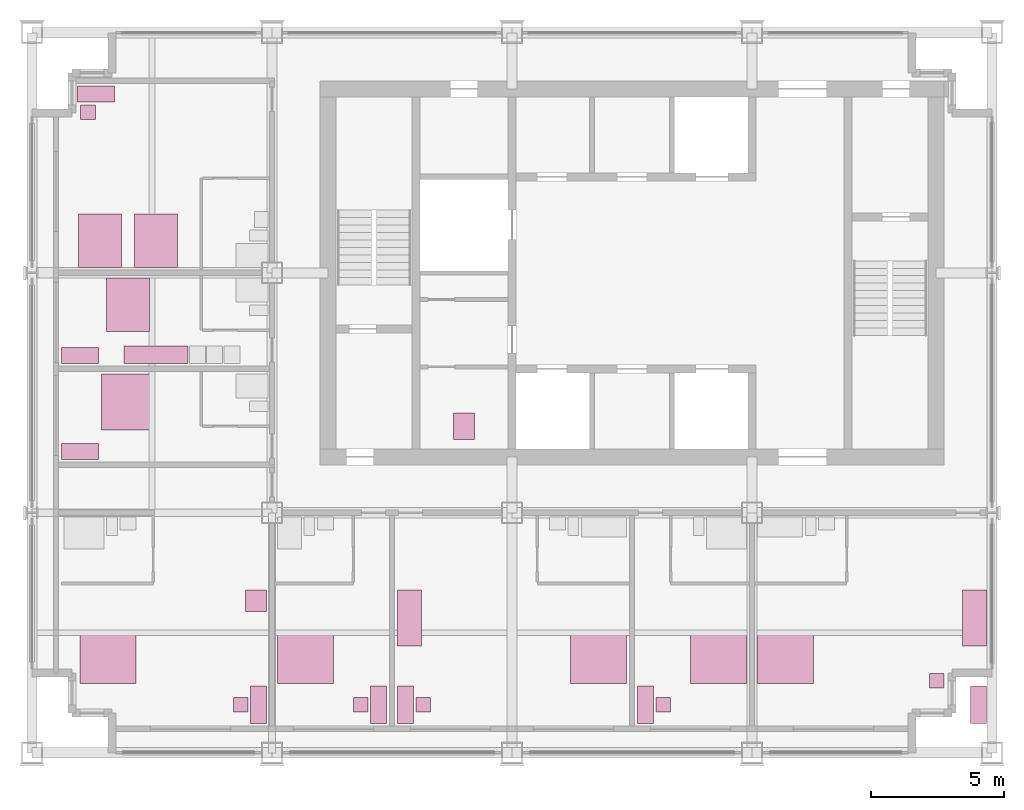
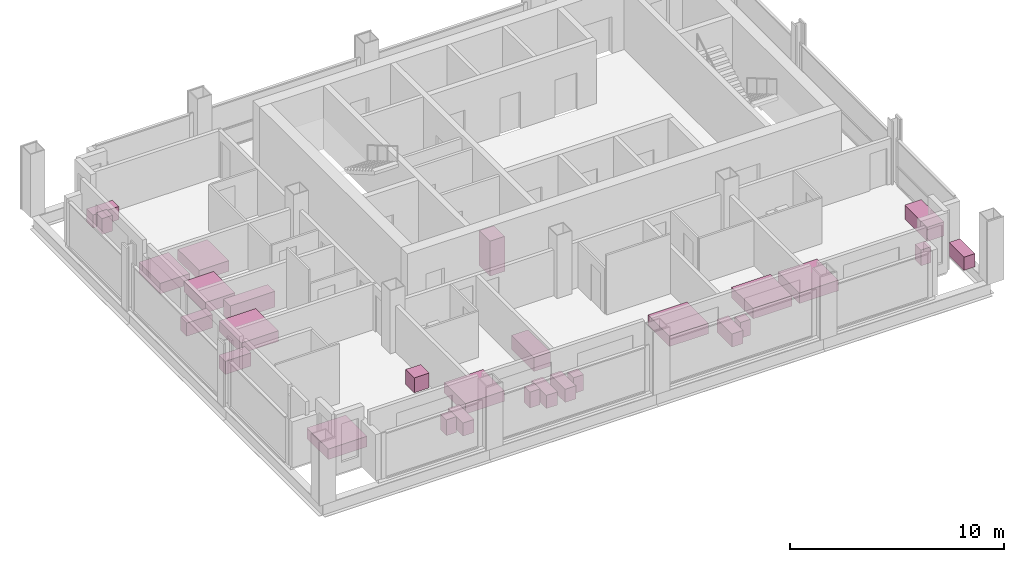
# One storey, part 12 of 12: 28 furniture elements.
"""IFC4 building model written with IfcOpenShell, lengths in metres."""

import ifcopenshell
import ifcopenshell.guid

model = None  # the IFC model being written
_history = None  # IfcOwnerHistory: only IFC2X3 demands one
_inside = {}  # id of a spatial element -> (the spatial element, [elements in it])
_under = {}  # id of a project, library or spatial element -> (it, [spatial elements below it])
_declared = {}  # id of a project -> (the project, [libraries it declares])
_typed = {}  # id of a type object -> (the type object, [elements of that type])
_made_of = {}  # id of a material, layer set ... -> (it, [elements and type objects made of it])


def new_model(schema):
    """Start an empty IFC model of exactly this schema.

    Asked for "IFC4X3", IfcOpenShell would pick the latest addendum, in which some entities
    have other attributes; the version numbers below select the first issue.
    IFC2X3 requires an IfcOwnerHistory on every rooted entity: one is made here for all.
    """
    global model, _history
    if schema == "IFC4X3":
        model = ifcopenshell.file(schema_version=(4, 3, 0, 0))
    else:
        model = ifcopenshell.file(schema=schema)
    _inside.clear()
    _under.clear()
    _declared.clear()
    _typed.clear()
    _made_of.clear()
    _history = None
    if model.schema == "IFC2X3":
        org = make("IfcOrganization", Name="unknown")
        user = make(
            "IfcPersonAndOrganization",
            ThePerson=make("IfcPerson", FamilyName="unknown"),
            TheOrganization=org,
        )
        app = make(
            "IfcApplication",
            ApplicationDeveloper=org,
            Version="unknown",
            ApplicationFullName="unknown",
            ApplicationIdentifier="unknown",
        )
        _history = make(
            "IfcOwnerHistory",
            OwningUser=user,
            OwningApplication=app,
            ChangeAction="ADDED",
            CreationDate=0,
        )
    return model


def make(cls, **values):
    """One entity of the class cls with the attributes given. An attribute that is None is left unset."""
    return model.create_entity(
        cls, **{name: value for name, value in values.items() if value is not None}
    )


def rooted(cls, **values):
    """An entity with a GlobalId (a new one), such as an element, a storey or a relation."""
    return make(cls, GlobalId=ifcopenshell.guid.new(), OwnerHistory=_history, **values)


def si_unit(unit_type, name, prefix=None):
    """IfcSIUnit, for example si_unit("LENGTHUNIT", "METRE", prefix="MILLI")."""
    return make("IfcSIUnit", UnitType=unit_type, Prefix=prefix, Name=name)


def assignment(units):
    """IfcUnitAssignment: the units of a project."""
    return None if units is None else make("IfcUnitAssignment", Units=units)


def point(xyz):
    """IfcCartesianPoint."""
    return None if xyz is None else make("IfcCartesianPoint", Coordinates=xyz)


def direction(xyz):
    """IfcDirection."""
    return None if xyz is None else make("IfcDirection", DirectionRatios=xyz)


def frame(location, z_axis=None, x_axis=None):
    """IfcAxis2Placement3D, a coordinate frame: its origin and axes. An axis left out is left unset."""
    return make(
        "IfcAxis2Placement3D",
        Location=point(location),
        Axis=direction(z_axis),
        RefDirection=direction(x_axis),
    )


def frame_2d(location, x_axis=None):
    """IfcAxis2Placement2D, a coordinate frame in the plane: its origin and x axis."""
    return make(
        "IfcAxis2Placement2D", Location=point(location), RefDirection=direction(x_axis)
    )


def origin():
    """The frame at (0, 0, 0) with its axes left unset."""
    return frame((0.0, 0.0, 0.0))


def origin_2d():
    """The frame at (0, 0) in the plane with its x axis left unset."""
    return frame_2d((0.0, 0.0))


def place(relative_to, where):
    """IfcLocalPlacement: puts the frame where relative to a parent placement (None: the world)."""
    return make(
        "IfcLocalPlacement", PlacementRelTo=relative_to, RelativePlacement=where
    )


def context(
    kind, dimensions, precision=None, world=None, true_north=None, identifier=None
):
    """IfcGeometricRepresentationContext, for example the 3D "Model" context."""
    return make(
        "IfcGeometricRepresentationContext",
        ContextIdentifier=identifier,
        ContextType=kind,
        CoordinateSpaceDimension=dimensions,
        Precision=precision,
        WorldCoordinateSystem=world,
        TrueNorth=true_north,
    )


def subcontext(parent, identifier, kind, view, scale=None):
    """IfcGeometricRepresentationSubContext, for example "Body" below "Model"."""
    return make(
        "IfcGeometricRepresentationSubContext",
        ContextIdentifier=identifier,
        ContextType=kind,
        ParentContext=parent,
        TargetScale=scale,
        TargetView=view,
    )


def project(units=None, contexts=None):
    """IfcProject with its units and contexts."""
    return rooted(
        "IfcProject",
        Name="project",
        RepresentationContexts=contexts,
        UnitsInContext=assignment(units),
    )


def spatial(cls, under=None, at=None, **own):
    """A site, building, storey or space (cls), placed at a placement, below another one or the project."""
    s = rooted(cls, ObjectPlacement=at, **own)
    if under is not None:
        _under.setdefault(under.id(), (under, []))[1].append(s)
    return s


def profile(cls, at=None, kind="AREA", **sizes):
    """A parametric profile (cls). Its sizes go by their IFC names, for example OverallWidth=200.0."""
    return make(cls, ProfileType=kind, Position=at, **sizes)


def rectangle(**sizes):
    """IfcRectangleProfileDef."""
    return profile("IfcRectangleProfileDef", **sizes)


def extrude(swept, where, along, depth):
    """IfcExtrudedAreaSolid: the profile swept, set in the frame where, extruded along a direction by depth."""
    return make(
        "IfcExtrudedAreaSolid",
        SweptArea=swept,
        Position=where,
        ExtrudedDirection=direction(along),
        Depth=depth,
    )


def shape(context_of_items, identifier, shape_type, items):
    """IfcShapeRepresentation: the items that make up one representation, for example the "Body"."""
    return make(
        "IfcShapeRepresentation",
        ContextOfItems=context_of_items,
        RepresentationIdentifier=identifier,
        RepresentationType=shape_type,
        Items=items,
    )


def made_of(thing, what):
    """Note that an element or type object is made of a material, layer set ...; save() writes the relation."""
    if what is not None:
        _made_of.setdefault(what.id(), (what, []))[1].append(thing)
    return thing


def element(
    cls,
    number,
    at=None,
    inside=None,
    cuts=None,
    type_object=None,
    material=None,
    context=None,
    identifier="Body",
    shape_type=None,
    held_by="IfcProductDefinitionShape",
    body=None,
    shapes=None,
    **own,
):
    """One element of the class cls, such as IfcWall. Its Tag is "e" and its number.

    at: its placement. inside: the storey or other place that contains it. cuts: it is an
    opening in that element (IfcRelVoidsElement). A single representation is given by context,
    identifier, shape_type and body (its items); several are given by shapes. held_by: the class
    of the entity that holds the representations. save() writes the other relations.
    """
    e = rooted(cls, Tag="e%d" % number, ObjectPlacement=at, **own)
    if body is not None:
        shapes = [shape(context, identifier, shape_type, body)]
    if shapes is not None:
        e.Representation = make(held_by, Representations=shapes)
    if inside is not None:
        _inside.setdefault(inside.id(), (inside, []))[1].append(e)
    if cuts is not None:
        rooted(
            "IfcRelVoidsElement", RelatingBuildingElement=cuts, RelatedOpeningElement=e
        )
    if type_object is not None:
        _typed.setdefault(type_object.id(), (type_object, []))[1].append(e)
    return made_of(e, material)


def aggregate(whole, parts):
    """IfcRelAggregates: a whole, such as a stair, and the parts it consists of."""
    return rooted("IfcRelAggregates", RelatingObject=whole, RelatedObjects=parts)


def save(model, path):
    """Write the relations noted so far, then the file.

    IfcRelAggregates (storeys below a building ...), IfcRelContainedInSpatialStructure (elements
    in a storey), IfcRelDefinesByType, IfcRelAssociatesMaterial and IfcRelDeclares: one each for
    every whole, place, type object, material and project.
    """
    for whole, parts in _under.values():
        aggregate(whole, parts)
    for where, things in _inside.values():
        rooted(
            "IfcRelContainedInSpatialStructure",
            RelatedElements=things,
            RelatingStructure=where,
        )
    for kind, things in _typed.values():
        rooted("IfcRelDefinesByType", RelatedObjects=things, RelatingType=kind)
    for what, things in _made_of.values():
        rooted("IfcRelAssociatesMaterial", RelatedObjects=things, RelatingMaterial=what)
    for by, libraries in _declared.values():
        rooted("IfcRelDeclares", RelatingContext=by, RelatedDefinitions=libraries)
    model.write(path)


model = new_model("IFC4")

# Units and contexts
model_context = context("Model", 3, precision=1e-05, world=origin(), true_north=direction((0.0, 1.0)))
body_context = subcontext(model_context, "Body", "Model", "MODEL_VIEW")
ifc_project = project(units=[si_unit("LENGTHUNIT", "METRE"), si_unit("AREAUNIT", "SQUARE_METRE"), si_unit("VOLUMEUNIT", "CUBIC_METRE"), si_unit("PLANEANGLEUNIT", "RADIAN"), si_unit("MASSUNIT", "GRAM", prefix="KILO")], contexts=[model_context])

# Site, building, storey
site_placement = place(None, origin())
site = spatial("IfcSite", under=ifc_project, at=site_placement, CompositionType="ELEMENT")
building_placement = place(site_placement, origin())
building = spatial("IfcBuilding", under=site, at=building_placement, Name="Loomwork Tower", CompositionType="ELEMENT")
storey_placement = place(building_placement, frame((0.0, 0.0, 233.800048828125)))
storey = spatial("IfcBuildingStorey", under=building, at=storey_placement, Name="L64", CompositionType="ELEMENT", Elevation=233.800048828125)

# Furniture
furniture_1_placement = place(storey_placement, frame((2.85009765625, 3.60009765625, 0.0), z_axis=(0.0, 0.0, 1.0), x_axis=(1.0, 0.0, 0.0)))
element("IfcFurniture", 1, at=furniture_1_placement, inside=storey, Name="King bed L64", PredefinedType="BED", context=body_context, shape_type="SweptSolid", body=[
    extrude(rectangle(XDim=2.10009765625, YDim=2.0, at=origin_2d()), origin(), (0.0, 0.0, 1.0), 0.60009765625),
])
furniture_2_placement = place(storey_placement, frame((8.5, 1.800048828125, 0.0), z_axis=(0.0, 0.0, 1.0), x_axis=(1.0, 0.0, 0.0)))
element("IfcFurniture", 2, at=furniture_2_placement, inside=storey, Name="Writing desk L64", PredefinedType="DESK", context=body_context, shape_type="SweptSolid", body=[
    extrude(rectangle(XDim=0.60009765625, YDim=1.39990234375, at=origin_2d()), origin(), (0.0, 0.0, 1.0), 0.75),
])
furniture_3_placement = place(storey_placement, frame((7.824951171875, 1.800048828125, 0.0), z_axis=(0.0, 0.0, 1.0), x_axis=(1.0, 0.0, 0.0)))
element("IfcFurniture", 3, at=furniture_3_placement, inside=storey, Name="Desk chair L64", PredefinedType="CHAIR", context=body_context, shape_type="SweptSolid", body=[
    extrude(rectangle(XDim=0.550048828125, YDim=0.550048828125, at=origin_2d()), origin(), (0.0, 0.0, 1.0), 0.89990234375),
])
furniture_4_placement = place(storey_placement, frame((8.39990234375, 5.699951171875, 0.0), z_axis=(0.0, 0.0, 1.0), x_axis=(1.0, 0.0, 0.0)))
element("IfcFurniture", 4, at=furniture_4_placement, inside=storey, Name="Lounge armchair L64", PredefinedType="CHAIR", context=body_context, shape_type="SweptSolid", body=[
    extrude(rectangle(XDim=0.800048828125, YDim=0.800048828125, at=origin_2d()), origin(), (0.0, 0.0, 1.0), 0.85009765625),
])
furniture_5_placement = place(storey_placement, frame((10.25, 3.60009765625, 0.0), z_axis=(0.0, 0.0, 1.0), x_axis=(1.0, 0.0, 0.0)))
element("IfcFurniture", 5, at=furniture_5_placement, inside=storey, Name="King bed L64", PredefinedType="BED", context=body_context, shape_type="SweptSolid", body=[
    extrude(rectangle(XDim=2.10009765625, YDim=2.0, at=origin_2d()), origin(), (0.0, 0.0, 1.0), 0.60009765625),
])
furniture_6_placement = place(storey_placement, frame((13.0, 1.800048828125, 0.0), z_axis=(0.0, 0.0, 1.0), x_axis=(1.0, 0.0, 0.0)))
element("IfcFurniture", 6, at=furniture_6_placement, inside=storey, Name="Writing desk L64", PredefinedType="DESK", context=body_context, shape_type="SweptSolid", body=[
    extrude(rectangle(XDim=0.60009765625, YDim=1.39990234375, at=origin_2d()), origin(), (0.0, 0.0, 1.0), 0.75),
])
furniture_7_placement = place(storey_placement, frame((12.324951171875, 1.800048828125, 0.0), z_axis=(0.0, 0.0, 1.0), x_axis=(1.0, 0.0, 0.0)))
element("IfcFurniture", 7, at=furniture_7_placement, inside=storey, Name="Desk chair L64", PredefinedType="CHAIR", context=body_context, shape_type="SweptSolid", body=[
    extrude(rectangle(XDim=0.550048828125, YDim=0.550048828125, at=origin_2d()), origin(), (0.0, 0.0, 1.0), 0.89990234375),
])
furniture_8_placement = place(storey_placement, frame((21.25, 3.60009765625, 0.0), z_axis=(0.0, 0.0, 1.0), x_axis=(1.0, 0.0, 0.0)))
element("IfcFurniture", 8, at=furniture_8_placement, inside=storey, Name="King bed L64", PredefinedType="BED", context=body_context, shape_type="SweptSolid", body=[
    extrude(rectangle(XDim=2.10009765625, YDim=2.0, at=origin_2d()), origin(), (0.0, 0.0, 1.0), 0.60009765625),
])
furniture_9_placement = place(storey_placement, frame((14.0, 1.800048828125, 0.0), z_axis=(0.0, 0.0, 1.0), x_axis=(1.0, 0.0, 0.0)))
element("IfcFurniture", 9, at=furniture_9_placement, inside=storey, Name="Writing desk L64", PredefinedType="DESK", context=body_context, shape_type="SweptSolid", body=[
    extrude(rectangle(XDim=0.60009765625, YDim=1.39990234375, at=origin_2d()), origin(), (0.0, 0.0, 1.0), 0.75),
])
furniture_10_placement = place(storey_placement, frame((14.675048828125, 1.800048828125, 0.0), z_axis=(0.0, 0.0, 1.0), x_axis=(1.0, 0.0, 0.0)))
element("IfcFurniture", 10, at=furniture_10_placement, inside=storey, Name="Desk chair L64", PredefinedType="CHAIR", context=body_context, shape_type="SweptSolid", body=[
    extrude(rectangle(XDim=0.550048828125, YDim=0.550048828125, at=origin_2d()), origin(), (0.0, 0.0, 1.0), 0.89990234375),
])
furniture_11_placement = place(storey_placement, frame((14.14990234375, 5.050048828125, 0.0), z_axis=(0.0, 0.0, 1.0), x_axis=(1.0, 0.0, 0.0)))
element("IfcFurniture", 11, at=furniture_11_placement, inside=storey, Name="Sofa L64", PredefinedType="SOFA", context=body_context, shape_type="SweptSolid", body=[
    extrude(rectangle(XDim=0.89990234375, YDim=2.10009765625, at=origin_2d()), origin(), (0.0, 0.0, 1.0), 0.800048828125),
])
furniture_12_placement = place(storey_placement, frame((25.75, 3.60009765625, 0.0), z_axis=(0.0, 0.0, 1.0), x_axis=(1.0, 0.0, 0.0)))
element("IfcFurniture", 12, at=furniture_12_placement, inside=storey, Name="King bed L64", PredefinedType="BED", context=body_context, shape_type="SweptSolid", body=[
    extrude(rectangle(XDim=2.10009765625, YDim=2.0, at=origin_2d()), origin(), (0.0, 0.0, 1.0), 0.60009765625),
])
furniture_13_placement = place(storey_placement, frame((23.0, 1.800048828125, 0.0), z_axis=(0.0, 0.0, 1.0), x_axis=(1.0, 0.0, 0.0)))
element("IfcFurniture", 13, at=furniture_13_placement, inside=storey, Name="Writing desk L64", PredefinedType="DESK", context=body_context, shape_type="SweptSolid", body=[
    extrude(rectangle(XDim=0.60009765625, YDim=1.39990234375, at=origin_2d()), origin(), (0.0, 0.0, 1.0), 0.75),
])
furniture_14_placement = place(storey_placement, frame((23.675048828125, 1.800048828125, 0.0), z_axis=(0.0, 0.0, 1.0), x_axis=(1.0, 0.0, 0.0)))
element("IfcFurniture", 14, at=furniture_14_placement, inside=storey, Name="Desk chair L64", PredefinedType="CHAIR", context=body_context, shape_type="SweptSolid", body=[
    extrude(rectangle(XDim=0.550048828125, YDim=0.550048828125, at=origin_2d()), origin(), (0.0, 0.0, 1.0), 0.89990234375),
])
furniture_15_placement = place(storey_placement, frame((28.25, 3.60009765625, 0.0), z_axis=(0.0, 0.0, 1.0), x_axis=(1.0, 0.0, 0.0)))
element("IfcFurniture", 15, at=furniture_15_placement, inside=storey, Name="King bed L64", PredefinedType="BED", context=body_context, shape_type="SweptSolid", body=[
    extrude(rectangle(XDim=2.10009765625, YDim=2.0, at=origin_2d()), origin(), (0.0, 0.0, 1.0), 0.60009765625),
])
furniture_16_placement = place(storey_placement, frame((35.5, 1.800048828125, 0.0), z_axis=(0.0, 0.0, 1.0), x_axis=(1.0, 0.0, 0.0)))
element("IfcFurniture", 16, at=furniture_16_placement, inside=storey, Name="Writing desk L64", PredefinedType="DESK", context=body_context, shape_type="SweptSolid", body=[
    extrude(rectangle(XDim=0.60009765625, YDim=1.39990234375, at=origin_2d()), origin(), (0.0, 0.0, 1.0), 0.75),
])
furniture_17_placement = place(storey_placement, frame((33.925048828125, 2.699951171875, 0.0), z_axis=(0.0, 0.0, 1.0), x_axis=(1.0, 0.0, 0.0)))
element("IfcFurniture", 17, at=furniture_17_placement, inside=storey, Name="Desk chair L64", PredefinedType="CHAIR", context=body_context, shape_type="SweptSolid", body=[
    extrude(rectangle(XDim=0.550048828125, YDim=0.550048828125, at=origin_2d()), origin(), (0.0, 0.0, 1.0), 0.89990234375),
])
furniture_18_placement = place(storey_placement, frame((35.35009765625, 5.050048828125, 0.0), z_axis=(0.0, 0.0, 1.0), x_axis=(1.0, 0.0, 0.0)))
element("IfcFurniture", 18, at=furniture_18_placement, inside=storey, Name="Sofa L64", PredefinedType="SOFA", context=body_context, shape_type="SweptSolid", body=[
    extrude(rectangle(XDim=0.89990234375, YDim=2.10009765625, at=origin_2d()), origin(), (0.0, 0.0, 1.0), 0.800048828125),
])
furniture_19_placement = place(storey_placement, frame((3.60009765625, 13.14990234375, 0.0), z_axis=(0.0, 0.0, 1.0), x_axis=(1.0, 0.0, 0.0)))
element("IfcFurniture", 19, at=furniture_19_placement, inside=storey, Name="King bed L64", PredefinedType="BED", context=body_context, shape_type="SweptSolid", body=[
    extrude(rectangle(XDim=2.0, YDim=2.10009765625, at=origin_2d()), origin(), (0.0, 0.0, 1.0), 0.60009765625),
])
furniture_20_placement = place(storey_placement, frame((1.800048828125, 11.300048828125, 0.0), z_axis=(0.0, 0.0, 1.0), x_axis=(1.0, 0.0, 0.0)))
element("IfcFurniture", 20, at=furniture_20_placement, inside=storey, Name="Writing desk L64", PredefinedType="DESK", context=body_context, shape_type="SweptSolid", body=[
    extrude(rectangle(XDim=1.39990234375, YDim=0.60009765625, at=origin_2d()), origin(), (0.0, 0.0, 1.0), 0.75),
])
furniture_21_placement = place(storey_placement, frame((3.60009765625, 16.800048828125, 0.0), z_axis=(0.0, 0.0, 1.0), x_axis=(1.0, 0.0, 0.0)))
element("IfcFurniture", 21, at=furniture_21_placement, inside=storey, Name="Queen bed L64", PredefinedType="BED", context=body_context, shape_type="SweptSolid", body=[
    extrude(rectangle(XDim=1.60009765625, YDim=2.0, at=origin_2d()), origin(), (0.0, 0.0, 1.0), 0.60009765625),
])
furniture_22_placement = place(storey_placement, frame((1.800048828125, 14.89990234375, 0.0), z_axis=(0.0, 0.0, 1.0), x_axis=(1.0, 0.0, 0.0)))
element("IfcFurniture", 22, at=furniture_22_placement, inside=storey, Name="Writing desk L64", PredefinedType="DESK", context=body_context, shape_type="SweptSolid", body=[
    extrude(rectangle(XDim=1.39990234375, YDim=0.60009765625, at=origin_2d()), origin(), (0.0, 0.0, 1.0), 0.75),
])
furniture_23_placement = place(storey_placement, frame((4.64990234375, 14.925048828125, 0.0), z_axis=(0.0, 0.0, 1.0), x_axis=(1.0, 0.0, 0.0)))
element("IfcFurniture", 23, at=furniture_23_placement, inside=storey, Name="Kitchenette counter L64", ObjectType="KITCHENETTE", PredefinedType="USERDEFINED", context=body_context, shape_type="SweptSolid", body=[
    extrude(rectangle(XDim=2.39990234375, YDim=0.64990234375, at=origin_2d()), origin(), (0.0, 0.0, 1.0), 0.89990234375),
])
for number, where, z_axis, x_axis, name in (
    (24, (4.64990234375, 19.199951171875, 0.0), (0.0, 0.0, 1.0), (1.0, 0.0, 0.0), "Queen bed L64"),
    (25, (2.550048828125, 19.199951171875, 0.0), (0.0, 0.0, 1.0), (1.0, 0.0, 0.0), "Queen bed L64"),
):
    element("IfcFurniture", number, at=place(storey_placement, frame(where, z_axis=z_axis, x_axis=x_axis)), inside=storey, Name=name, PredefinedType="BED", context=body_context, shape_type="SweptSolid", body=[
        extrude(rectangle(XDim=1.60009765625, YDim=2.0, at=origin_2d()), origin(), (0.0, 0.0, 1.0), 0.60009765625),
    ])
furniture_24_placement = place(storey_placement, frame((2.39990234375, 24.699951171875, 0.0), z_axis=(0.0, 0.0, 1.0), x_axis=(1.0, 0.0, 0.0)))
element("IfcFurniture", 26, at=furniture_24_placement, inside=storey, Name="Writing desk L64", PredefinedType="DESK", context=body_context, shape_type="SweptSolid", body=[
    extrude(rectangle(XDim=1.39990234375, YDim=0.60009765625, at=origin_2d()), origin(), (0.0, 0.0, 1.0), 0.75),
])
furniture_25_placement = place(storey_placement, frame((2.10009765625, 24.02490234375, 0.0), z_axis=(0.0, 0.0, 1.0), x_axis=(1.0, 0.0, 0.0)))
element("IfcFurniture", 27, at=furniture_25_placement, inside=storey, Name="Desk chair L64", PredefinedType="CHAIR", context=body_context, shape_type="SweptSolid", body=[
    extrude(rectangle(XDim=0.550048828125, YDim=0.550048828125, at=origin_2d()), origin(), (0.0, 0.0, 1.0), 0.89990234375),
])
furniture_26_placement = place(storey_placement, frame((16.199951171875, 12.25, 0.0), z_axis=(0.0, 0.0, 1.0), x_axis=(1.0, 0.0, 0.0)))
element("IfcFurniture", 28, at=furniture_26_placement, inside=storey, Name="Data cabinet L64", ObjectType="DATA CABINET", PredefinedType="USERDEFINED", context=body_context, shape_type="SweptSolid", body=[
    extrude(rectangle(XDim=0.800048828125, YDim=1.0, at=origin_2d()), origin(), (0.0, 0.0, 1.0), 2.0),
])

save(model, "model.ifc")
